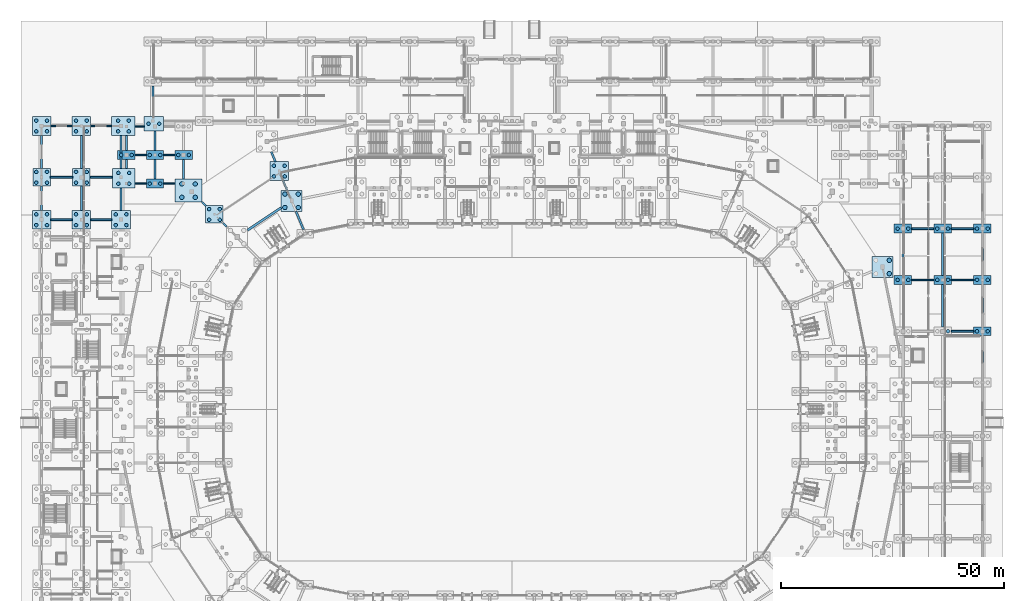
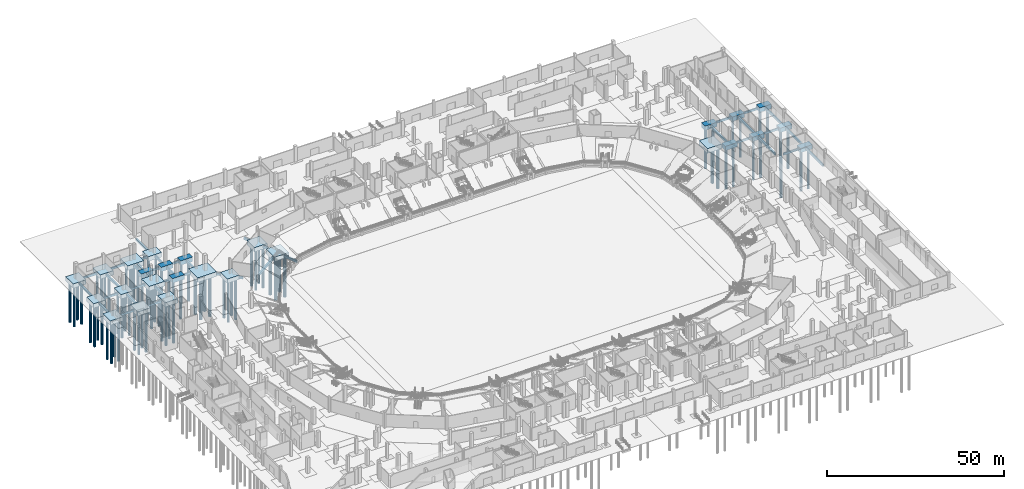
# One storey, part 9 of 68: 79 piles, 66 footings.
"""IFC4 building model written with IfcOpenShell, lengths in metres."""

from ifc_helpers import new_model, si_unit, direction, frame, origin, origin_2d, place, context, subcontext, project, spatial, rectangle, circle, extrude, material, material_profile, profile_set, type_object, element, save


model = new_model("IFC4")

# Units and contexts
model_context = context("Model", 3, precision=1e-05, world=origin(), true_north=direction((0.0, 1.0)))
body_context = subcontext(model_context, "Body", "Model", "MODEL_VIEW")
ifc_project = project(units=[si_unit("LENGTHUNIT", "METRE"), si_unit("AREAUNIT", "SQUARE_METRE"), si_unit("VOLUMEUNIT", "CUBIC_METRE"), si_unit("PLANEANGLEUNIT", "RADIAN"), si_unit("MASSUNIT", "GRAM", prefix="KILO")], contexts=[model_context])

# Site, building, storey
site_placement = place(None, origin())
site = spatial("IfcSite", under=ifc_project, at=site_placement, CompositionType="ELEMENT")
building_placement = place(site_placement, origin())
building = spatial("IfcBuilding", under=site, at=building_placement, Name="Candeia Ridge Stadium", CompositionType="ELEMENT")
storey_placement = place(building_placement, origin())
storey = spatial("IfcBuildingStorey", under=building, at=storey_placement, Name="L00", CompositionType="ELEMENT", Elevation=0.0)

# Piles
ifc_material = material(Name="Concrete C40/50", Category="concrete")
ifc_material_profile_1 = material_profile(ifc_material, circle(Radius=0.5, at=origin_2d()), Name="PILE-D1000", Category="concrete")
ifc_profile_set_1 = profile_set([ifc_material_profile_1], Name="Concrete C40/50")
pile_type_1 = type_object("IfcPileType", Name="Bored Concrete Pile D1000", PredefinedType="BORED", material=ifc_profile_set_1)
for number, where, z_axis, x_axis, name in (
    (1, (55.111083984375, 128.23779296875, -1.39990234375), (0.0, 0.0, -1.0), (1.0, 0.0, 0.0), "Bored concrete foundation pile PILE-0111"),
    (2, (58.111083984375, 128.23779296875, -1.39990234375), (0.0, 0.0, -1.0), (1.0, 0.0, 0.0), "Bored concrete foundation pile PILE-0112"),
    (3, (55.111083984375, 131.23779296875, -1.39990234375), (0.0, 0.0, -1.0), (1.0, 0.0, 0.0), "Bored concrete foundation pile PILE-0113"),
    (4, (58.111083984375, 131.23779296875, -1.39990234375), (0.0, 0.0, -1.0), (1.0, 0.0, 0.0), "Bored concrete foundation pile PILE-0114"),
    (5, (32.01513671875, 130.509765625, -1.39990234375), (0.0, 0.0, -1.0), (1.0, 0.0, 0.0), "Bored concrete foundation pile PILE-0133"),
    (6, (35.01513671875, 130.509765625, -1.39990234375), (0.0, 0.0, -1.0), (1.0, 0.0, 0.0), "Bored concrete foundation pile PILE-0134"),
    (7, (32.01513671875, 133.509765625, -1.39990234375), (0.0, 0.0, -1.0), (1.0, 0.0, 0.0), "Bored concrete foundation pile PILE-0135"),
    (8, (35.01513671875, 133.509765625, -1.39990234375), (0.0, 0.0, -1.0), (1.0, 0.0, 0.0), "Bored concrete foundation pile PILE-0136"),
    (9, (190.541748046875, 113.3994140625, -1.39990234375), (0.0, 0.0, -1.0), (1.0, 0.0, 0.0), "Bored concrete foundation pile PILE-0462"),
    (10, (190.541748046875, 116.3994140625, -1.39990234375), (0.0, 0.0, -1.0), (1.0, 0.0, 0.0), "Bored concrete foundation pile PILE-0464"),
):
    element("IfcPile", number, at=place(storey_placement, frame(where, z_axis=z_axis, x_axis=x_axis)), inside=storey, type_object=pile_type_1, Name=name, PredefinedType="BORED", context=body_context, shape_type="SweptSolid", body=[
        extrude(circle(Radius=0.5, at=origin_2d()), origin(), (0.0, 0.0, 1.0), 14.0),
    ])
ifc_material_profile_2 = material_profile(ifc_material, circle(Radius=0.39990234375, at=origin_2d()), Name="PILE-D800", Category="concrete")
ifc_profile_set_2 = profile_set([ifc_material_profile_2], Name="Concrete C40/50")
pile_type_2 = type_object("IfcPileType", Name="Bored Concrete Pile D800", PredefinedType="BORED", material=ifc_profile_set_2)
for number, where, z_axis, x_axis, name in (
    (11, (52.65576171875, 135.189697265625, -1.39990234375), (0.0, 0.0, -1.0), (1.0, 0.0, 0.0), "Bored concrete foundation pile PILE-0115"),
    (12, (55.055908203125, 135.189697265625, -1.39990234375), (0.0, 0.0, -1.0), (1.0, 0.0, 0.0), "Bored concrete foundation pile PILE-0116"),
    (13, (52.65576171875, 137.58984375, -1.39990234375), (0.0, 0.0, -1.0), (1.0, 0.0, 0.0), "Bored concrete foundation pile PILE-0117"),
    (14, (55.055908203125, 137.58984375, -1.39990234375), (0.0, 0.0, -1.0), (1.0, 0.0, 0.0), "Bored concrete foundation pile PILE-0118"),
    (15, (38.12158203125, 125.478515625, -1.39990234375), (0.0, 0.0, -1.0), (1.0, 0.0, 0.0), "Bored concrete foundation pile PILE-0129"),
    (16, (40.521484375, 125.478515625, -1.39990234375), (0.0, 0.0, -1.0), (1.0, 0.0, 0.0), "Bored concrete foundation pile PILE-0130"),
    (17, (38.12158203125, 127.87841796875, -1.39990234375), (0.0, 0.0, -1.0), (1.0, 0.0, 0.0), "Bored concrete foundation pile PILE-0131"),
    (18, (40.521484375, 127.87841796875, -1.39990234375), (0.0, 0.0, -1.0), (1.0, 0.0, 0.0), "Bored concrete foundation pile PILE-0132"),
    (19, (-0.60009765625, 124.300048828125, -1.39990234375), (0.0, 0.0, -1.0), (1.0, 0.0, 0.0), "Bored concrete foundation pile PILE-0541"),
    (20, (1.800048828125, 124.300048828125, -1.39990234375), (0.0, 0.0, -1.0), (1.0, 0.0, 0.0), "Bored concrete foundation pile PILE-0542"),
    (21, (-0.60009765625, 126.699951171875, -1.39990234375), (0.0, 0.0, -1.0), (1.0, 0.0, 0.0), "Bored concrete foundation pile PILE-0543"),
    (22, (1.800048828125, 126.699951171875, -1.39990234375), (0.0, 0.0, -1.0), (1.0, 0.0, 0.0), "Bored concrete foundation pile PILE-0544"),
    (23, (-0.60009765625, 133.800048828125, -1.39990234375), (0.0, 0.0, -1.0), (1.0, 0.0, 0.0), "Bored concrete foundation pile PILE-0545"),
    (24, (1.800048828125, 133.800048828125, -1.39990234375), (0.0, 0.0, -1.0), (1.0, 0.0, 0.0), "Bored concrete foundation pile PILE-0546"),
    (25, (-0.60009765625, 136.199951171875, -1.39990234375), (0.0, 0.0, -1.0), (1.0, 0.0, 0.0), "Bored concrete foundation pile PILE-0547"),
    (26, (1.800048828125, 136.199951171875, -1.39990234375), (0.0, 0.0, -1.0), (1.0, 0.0, 0.0), "Bored concrete foundation pile PILE-0548"),
    (27, (-0.60009765625, 145.300048828125, -1.39990234375), (0.0, 0.0, -1.0), (1.0, 0.0, 0.0), "Bored concrete foundation pile PILE-0549"),
    (28, (1.800048828125, 145.300048828125, -1.39990234375), (0.0, 0.0, -1.0), (1.0, 0.0, 0.0), "Bored concrete foundation pile PILE-0550"),
    (29, (-0.60009765625, 147.699951171875, -1.39990234375), (0.0, 0.0, -1.0), (1.0, 0.0, 0.0), "Bored concrete foundation pile PILE-0551"),
    (30, (1.800048828125, 147.699951171875, -1.39990234375), (0.0, 0.0, -1.0), (1.0, 0.0, 0.0), "Bored concrete foundation pile PILE-0552"),
    (31, (8.300048828125, 124.300048828125, -1.39990234375), (0.0, 0.0, -1.0), (1.0, 0.0, 0.0), "Bored concrete foundation pile PILE-0601"),
    (32, (10.699951171875, 124.300048828125, -1.39990234375), (0.0, 0.0, -1.0), (1.0, 0.0, 0.0), "Bored concrete foundation pile PILE-0602"),
    (33, (8.300048828125, 126.699951171875, -1.39990234375), (0.0, 0.0, -1.0), (1.0, 0.0, 0.0), "Bored concrete foundation pile PILE-0603"),
    (34, (10.699951171875, 126.699951171875, -1.39990234375), (0.0, 0.0, -1.0), (1.0, 0.0, 0.0), "Bored concrete foundation pile PILE-0604"),
    (35, (8.300048828125, 133.800048828125, -1.39990234375), (0.0, 0.0, -1.0), (1.0, 0.0, 0.0), "Bored concrete foundation pile PILE-0605"),
    (36, (10.699951171875, 133.800048828125, -1.39990234375), (0.0, 0.0, -1.0), (1.0, 0.0, 0.0), "Bored concrete foundation pile PILE-0606"),
    (37, (8.300048828125, 136.199951171875, -1.39990234375), (0.0, 0.0, -1.0), (1.0, 0.0, 0.0), "Bored concrete foundation pile PILE-0607"),
    (38, (10.699951171875, 136.199951171875, -1.39990234375), (0.0, 0.0, -1.0), (1.0, 0.0, 0.0), "Bored concrete foundation pile PILE-0608"),
    (39, (8.300048828125, 145.300048828125, -1.39990234375), (0.0, 0.0, -1.0), (1.0, 0.0, 0.0), "Bored concrete foundation pile PILE-0609"),
    (40, (10.699951171875, 145.300048828125, -1.39990234375), (0.0, 0.0, -1.0), (1.0, 0.0, 0.0), "Bored concrete foundation pile PILE-0610"),
    (41, (8.300048828125, 147.699951171875, -1.39990234375), (0.0, 0.0, -1.0), (1.0, 0.0, 0.0), "Bored concrete foundation pile PILE-0611"),
    (42, (10.699951171875, 147.699951171875, -1.39990234375), (0.0, 0.0, -1.0), (1.0, 0.0, 0.0), "Bored concrete foundation pile PILE-0612"),
    (43, (17.199951171875, 124.300048828125, -1.39990234375), (0.0, 0.0, -1.0), (1.0, 0.0, 0.0), "Bored concrete foundation pile PILE-0641"),
    (44, (19.60009765625, 124.300048828125, -1.39990234375), (0.0, 0.0, -1.0), (1.0, 0.0, 0.0), "Bored concrete foundation pile PILE-0642"),
    (45, (17.199951171875, 126.699951171875, -1.39990234375), (0.0, 0.0, -1.0), (1.0, 0.0, 0.0), "Bored concrete foundation pile PILE-0643"),
    (46, (19.60009765625, 126.699951171875, -1.39990234375), (0.0, 0.0, -1.0), (1.0, 0.0, 0.0), "Bored concrete foundation pile PILE-0644"),
    (47, (17.800048828125, 133.574951171875, -1.39990234375), (0.0, 0.0, -1.0), (1.0, 0.0, 0.0), "Bored concrete foundation pile PILE-0645"),
    (48, (20.199951171875, 133.574951171875, -1.39990234375), (0.0, 0.0, -1.0), (1.0, 0.0, 0.0), "Bored concrete foundation pile PILE-0646"),
    (49, (17.800048828125, 135.97509765625, -1.39990234375), (0.0, 0.0, -1.0), (1.0, 0.0, 0.0), "Bored concrete foundation pile PILE-0647"),
    (50, (20.199951171875, 135.97509765625, -1.39990234375), (0.0, 0.0, -1.0), (1.0, 0.0, 0.0), "Bored concrete foundation pile PILE-0648"),
    (51, (17.72509765625, 145.300048828125, -1.39990234375), (0.0, 0.0, -1.0), (1.0, 0.0, 0.0), "Bored concrete foundation pile PILE-0649"),
    (52, (20.125, 145.300048828125, -1.39990234375), (0.0, 0.0, -1.0), (1.0, 0.0, 0.0), "Bored concrete foundation pile PILE-0650"),
    (53, (17.72509765625, 147.699951171875, -1.39990234375), (0.0, 0.0, -1.0), (1.0, 0.0, 0.0), "Bored concrete foundation pile PILE-0651"),
    (54, (20.125, 147.699951171875, -1.39990234375), (0.0, 0.0, -1.0), (1.0, 0.0, 0.0), "Bored concrete foundation pile PILE-0652"),
    (55, (192.39990234375, 112.0, -1.39990234375), (0.0, 0.0, -1.0), (1.0, 0.0, 0.0), "Bored concrete foundation pile PILE-0665"),
    (56, (194.800048828125, 112.0, -1.39990234375), (0.0, 0.0, -1.0), (1.0, 0.0, 0.0), "Bored concrete foundation pile PILE-0666"),
    (57, (192.39990234375, 123.5, -1.39990234375), (0.0, 0.0, -1.0), (1.0, 0.0, 0.0), "Bored concrete foundation pile PILE-0667"),
    (58, (194.800048828125, 123.5, -1.39990234375), (0.0, 0.0, -1.0), (1.0, 0.0, 0.0), "Bored concrete foundation pile PILE-0668"),
    (59, (203.699951171875, 100.5, -1.39990234375), (0.0, 0.0, -1.0), (1.0, 0.0, 0.0), "Bored concrete foundation pile PILE-0688"),
    (60, (201.300048828125, 112.0, -1.39990234375), (0.0, 0.0, -1.0), (1.0, 0.0, 0.0), "Bored concrete foundation pile PILE-0689"),
    (61, (203.699951171875, 112.0, -1.39990234375), (0.0, 0.0, -1.0), (1.0, 0.0, 0.0), "Bored concrete foundation pile PILE-0690"),
    (62, (201.300048828125, 123.5, -1.39990234375), (0.0, 0.0, -1.0), (1.0, 0.0, 0.0), "Bored concrete foundation pile PILE-0691"),
    (63, (203.699951171875, 123.5, -1.39990234375), (0.0, 0.0, -1.0), (1.0, 0.0, 0.0), "Bored concrete foundation pile PILE-0692"),
    (64, (210.199951171875, 100.5, -1.39990234375), (0.0, 0.0, -1.0), (1.0, 0.0, 0.0), "Bored concrete foundation pile PILE-0711"),
    (65, (212.60009765625, 100.5, -1.39990234375), (0.0, 0.0, -1.0), (1.0, 0.0, 0.0), "Bored concrete foundation pile PILE-0712"),
    (66, (210.199951171875, 112.0, -1.39990234375), (0.0, 0.0, -1.0), (1.0, 0.0, 0.0), "Bored concrete foundation pile PILE-0713"),
    (67, (212.60009765625, 112.0, -1.39990234375), (0.0, 0.0, -1.0), (1.0, 0.0, 0.0), "Bored concrete foundation pile PILE-0714"),
    (68, (210.199951171875, 123.5, -1.39990234375), (0.0, 0.0, -1.0), (1.0, 0.0, 0.0), "Bored concrete foundation pile PILE-0715"),
    (69, (212.60009765625, 123.5, -1.39990234375), (0.0, 0.0, -1.0), (1.0, 0.0, 0.0), "Bored concrete foundation pile PILE-0716"),
    (70, (24.550048828125, 147.0, -1.39990234375), (0.0, 0.0, -1.0), (1.0, 0.0, 0.0), "Bored concrete foundation pile PILE-0809"),
    (71, (26.949951171875, 147.0, -1.39990234375), (0.0, 0.0, -1.0), (1.0, 0.0, 0.0), "Bored concrete foundation pile PILE-0810"),
    (72, (18.39990234375, 140.0, -1.39990234375), (0.0, 0.0, -1.0), (1.0, 0.0, 0.0), "Bored concrete foundation pile PILE-0889"),
    (73, (20.800048828125, 140.0, -1.39990234375), (0.0, 0.0, -1.0), (1.0, 0.0, 0.0), "Bored concrete foundation pile PILE-0890"),
    (74, (24.800048828125, 133.60009765625, -1.39990234375), (0.0, 0.0, -1.0), (1.0, 0.0, 0.0), "Bored concrete foundation pile PILE-0891"),
    (75, (27.199951171875, 133.60009765625, -1.39990234375), (0.0, 0.0, -1.0), (1.0, 0.0, 0.0), "Bored concrete foundation pile PILE-0892"),
    (76, (24.800048828125, 140.0, -1.39990234375), (0.0, 0.0, -1.0), (1.0, 0.0, 0.0), "Bored concrete foundation pile PILE-0893"),
    (77, (27.199951171875, 140.0, -1.39990234375), (0.0, 0.0, -1.0), (1.0, 0.0, 0.0), "Bored concrete foundation pile PILE-0894"),
    (78, (31.199951171875, 140.0, -1.39990234375), (0.0, 0.0, -1.0), (1.0, 0.0, 0.0), "Bored concrete foundation pile PILE-0895"),
    (79, (33.60009765625, 140.0, -1.39990234375), (0.0, 0.0, -1.0), (1.0, 0.0, 0.0), "Bored concrete foundation pile PILE-0896"),
):
    element("IfcPile", number, at=place(storey_placement, frame(where, z_axis=z_axis, x_axis=x_axis)), inside=storey, type_object=pile_type_2, Name=name, PredefinedType="BORED", context=body_context, shape_type="SweptSolid", body=[
        extrude(circle(Radius=0.39990234375, at=origin_2d()), origin(), (0.0, 0.0, 1.0), 14.0),
    ])

# Footings
footing_type_1 = type_object("IfcFootingType", Name="Ground Tie Beam 400x700", PredefinedType="FOOTING_BEAM", material=ifc_material)
footing_1_placement = place(storey_placement, frame((5.050048828125, 125.5, -1.0498046875), z_axis=(0.0, 0.0, 1.0), x_axis=(1.0, 0.0, 0.0)))
element("IfcFooting", 80, at=footing_1_placement, inside=storey, type_object=footing_type_1, Name="Ground tie beam GTB-0185", PredefinedType="FOOTING_BEAM", context=body_context, shape_type="SweptSolid", body=[
    extrude(rectangle(XDim=4.719970703125, YDim=0.39990234375, at=origin_2d()), origin(), (0.0, 0.0, 1.0), 0.699951171875),
])
footing_2_placement = place(storey_placement, frame((5.050048828125, 135.0, -1.0498046875), z_axis=(0.0, 0.0, 1.0), x_axis=(1.0, 0.0, 0.0)))
element("IfcFooting", 81, at=footing_2_placement, inside=storey, type_object=footing_type_1, Name="Ground tie beam GTB-0187", PredefinedType="FOOTING_BEAM", context=body_context, shape_type="SweptSolid", body=[
    extrude(rectangle(XDim=5.02001953125, YDim=0.39990234375, at=origin_2d()), origin(), (0.0, 0.0, 1.0), 0.699951171875),
])
for number, where, z_axis, x_axis, name in (
    (82, (5.050048828125, 146.5, -1.0498046875), (0.0, 0.0, 1.0), (1.0, 0.0, 0.0), "Ground tie beam GTB-0188"),
    (83, (13.949951171875, 125.5, -1.0498046875), (0.0, 0.0, 1.0), (1.0, 0.0, 0.0), "Ground tie beam GTB-0214"),
):
    element("IfcFooting", number, at=place(storey_placement, frame(where, z_axis=z_axis, x_axis=x_axis)), inside=storey, type_object=footing_type_1, Name=name, PredefinedType="FOOTING_BEAM", context=body_context, shape_type="SweptSolid", body=[
        extrude(rectangle(XDim=4.719970703125, YDim=0.39990234375, at=origin_2d()), origin(), (0.0, 0.0, 1.0), 0.699951171875),
    ])
footing_3_placement = place(storey_placement, frame((13.949951171875, 135.0, -1.0498046875), z_axis=(0.0, 0.0, 1.0), x_axis=(1.0, 0.0, 0.0)))
element("IfcFooting", 84, at=footing_3_placement, inside=storey, type_object=footing_type_1, Name="Ground tie beam GTB-0216", PredefinedType="FOOTING_BEAM", context=body_context, shape_type="SweptSolid", body=[
    extrude(rectangle(XDim=5.02001953125, YDim=0.39990234375, at=origin_2d()), origin(), (0.0, 0.0, 1.0), 0.699951171875),
])
footing_4_placement = place(storey_placement, frame((13.949951171875, 146.5, -1.0498046875), z_axis=(0.0, 0.0, 1.0), x_axis=(1.0, 0.0, 0.0)))
element("IfcFooting", 85, at=footing_4_placement, inside=storey, type_object=footing_type_1, Name="Ground tie beam GTB-0217", PredefinedType="FOOTING_BEAM", context=body_context, shape_type="SweptSolid", body=[
    extrude(rectangle(XDim=4.719970703125, YDim=0.39990234375, at=origin_2d()), origin(), (0.0, 0.0, 1.0), 0.699951171875),
])
for number, where, z_axis, x_axis, name in (
    (86, (198.050048828125, 112.0, -1.0498046875), (0.0, 0.0, 1.0), (1.0, 0.0, 0.0), "Ground tie beam GTB-0249"),
    (87, (198.050048828125, 123.5, -1.0498046875), (0.0, 0.0, 1.0), (1.0, 0.0, 0.0), "Ground tie beam GTB-0251"),
    (88, (206.949951171875, 100.5, -1.0498046875), (0.0, 0.0, 1.0), (1.0, 0.0, 0.0), "Ground tie beam GTB-0270"),
    (89, (206.949951171875, 112.0, -1.0498046875), (0.0, 0.0, 1.0), (1.0, 0.0, 0.0), "Ground tie beam GTB-0272"),
    (90, (206.949951171875, 123.5, -1.0498046875), (0.0, 0.0, 1.0), (1.0, 0.0, 0.0), "Ground tie beam GTB-0274"),
):
    element("IfcFooting", number, at=place(storey_placement, frame(where, z_axis=z_axis, x_axis=x_axis)), inside=storey, type_object=footing_type_1, Name=name, PredefinedType="FOOTING_BEAM", context=body_context, shape_type="SweptSolid", body=[
        extrude(rectangle(XDim=5.02001953125, YDim=0.39990234375, at=origin_2d()), origin(), (0.0, 0.0, 1.0), 0.699951171875),
    ])
for number, where, z_axis, x_axis, name in (
    (91, (22.800048828125, 133.60009765625, -1.0498046875), (0.0, 0.0, 1.0), (1.0, 0.0, 0.0), "Ground tie beam GTB-0438"),
    (92, (22.800048828125, 140.0, -1.0498046875), (0.0, 0.0, 1.0), (1.0, 0.0, 0.0), "Ground tie beam GTB-0440"),
):
    element("IfcFooting", number, at=place(storey_placement, frame(where, z_axis=z_axis, x_axis=x_axis)), inside=storey, type_object=footing_type_1, Name=name, PredefinedType="FOOTING_BEAM", context=body_context, shape_type="SweptSolid", body=[
        extrude(rectangle(XDim=2.52001953125, YDim=0.39990234375, at=origin_2d()), origin(), (0.0, 0.0, 1.0), 0.699951171875),
    ])
footing_5_placement = place(storey_placement, frame((22.550048828125, 146.39990234375, -1.0498046875), z_axis=(0.0, 0.0, 1.0), x_axis=(1.0, 0.0, 0.0)))
element("IfcFooting", 93, at=footing_5_placement, inside=storey, type_object=footing_type_1, Name="Ground tie beam GTB-0441", PredefinedType="FOOTING_BEAM", context=body_context, shape_type="SweptSolid", body=[
    extrude(rectangle(XDim=2.02001953125, YDim=0.39990234375, at=origin_2d()), origin(), (0.0, 0.0, 1.0), 0.699951171875),
])
for number, where, z_axis, x_axis, name in (
    (94, (29.199951171875, 133.60009765625, -1.0498046875), (0.0, 0.0, 1.0), (1.0, 0.0, 0.0), "Ground tie beam GTB-0443"),
    (95, (29.199951171875, 140.0, -1.0498046875), (0.0, 0.0, 1.0), (1.0, 0.0, 0.0), "Ground tie beam GTB-0445"),
):
    element("IfcFooting", number, at=place(storey_placement, frame(where, z_axis=z_axis, x_axis=x_axis)), inside=storey, type_object=footing_type_1, Name=name, PredefinedType="FOOTING_BEAM", context=body_context, shape_type="SweptSolid", body=[
        extrude(rectangle(XDim=2.52001953125, YDim=0.39990234375, at=origin_2d()), origin(), (0.0, 0.0, 1.0), 0.699951171875),
    ])
footing_type_2 = type_object("IfcFootingType", Name="Ground Tie Beam 450x750", PredefinedType="FOOTING_BEAM", material=ifc_material)
footing_6_placement = place(storey_placement, frame((58.431884765625, 125.34228515625, -1.074951171875), z_axis=(0.0, 0.0, 1.0), x_axis=(-0.382681391665, 0.923880377794, 0.0)))
element("IfcFooting", 96, at=footing_6_placement, inside=storey, type_object=footing_type_2, Name="Ground tie beam GTB-0039", PredefinedType="FOOTING_BEAM", context=body_context, shape_type="SweptSolid", body=[
    extrude(rectangle(XDim=4.447998046875, YDim=0.449951171875, at=origin_2d()), origin(), (0.0, 0.0, 1.0), 0.75),
])
for number, where, z_axis, x_axis, name in (
    (97, (55.181640625, 133.188720703125, -1.074951171875), (0.0, 0.0, 1.0), (-0.382676402483, 0.923882444352, 0.0), "Ground tie beam GTB-0040"),
    (98, (52.52978515625, 139.5908203125, -1.074951171875), (0.0, 0.0, 1.0), (-0.382711917213, 0.923867733186, 0.0), "Ground tie beam GTB-0041"),
):
    element("IfcFooting", number, at=place(storey_placement, frame(where, z_axis=z_axis, x_axis=x_axis)), inside=storey, type_object=footing_type_2, Name=name, PredefinedType="FOOTING_BEAM", context=body_context, shape_type="SweptSolid", body=[
        extrude(rectangle(XDim=2.4033203125, YDim=0.449951171875, at=origin_2d()), origin(), (0.0, 0.0, 1.0), 0.75),
    ])
for number, where, z_axis, x_axis, name in (
    (99, (41.667236328125, 124.332763671875, -1.074951171875), (0.0, 0.0, 1.0), (-0.707106781187, 0.707106781187, 0.0), "Ground tie beam GTB-0044"),
    (100, (36.97607421875, 129.02392578125, -1.074951171875), (0.0, 0.0, 1.0), (-0.707106781187, 0.707106781187, 0.0), "Ground tie beam GTB-0045"),
):
    element("IfcFooting", number, at=place(storey_placement, frame(where, z_axis=z_axis, x_axis=x_axis)), inside=storey, type_object=footing_type_2, Name=name, PredefinedType="FOOTING_BEAM", context=body_context, shape_type="SweptSolid", body=[
        extrude(rectangle(XDim=1.138916015625, YDim=0.449951171875, at=origin_2d()), origin(), (0.0, 0.0, 1.0), 0.75),
    ])
footing_7_placement = place(storey_placement, frame((0.60009765625, 130.324951171875, -1.074951171875), z_axis=(0.0, 0.0, 1.0), x_axis=(0.0, 1.0, 0.0)))
element("IfcFooting", 101, at=footing_7_placement, inside=storey, type_object=footing_type_2, Name="Ground tie beam GTB-0184", PredefinedType="FOOTING_BEAM", context=body_context, shape_type="SweptSolid", body=[
    extrude(rectangle(XDim=5.469970703125, YDim=0.449951171875, at=origin_2d()), origin(), (0.0, 0.0, 1.0), 0.75),
])
footing_8_placement = place(storey_placement, frame((0.60009765625, 140.675048828125, -1.074951171875), z_axis=(0.0, 0.0, 1.0), x_axis=(0.0, 1.0, 0.0)))
element("IfcFooting", 102, at=footing_8_placement, inside=storey, type_object=footing_type_2, Name="Ground tie beam GTB-0186", PredefinedType="FOOTING_BEAM", context=body_context, shape_type="SweptSolid", body=[
    extrude(rectangle(XDim=7.469970703125, YDim=0.449951171875, at=origin_2d()), origin(), (0.0, 0.0, 1.0), 0.75),
])
footing_9_placement = place(storey_placement, frame((9.5, 130.324951171875, -1.074951171875), z_axis=(0.0, 0.0, 1.0), x_axis=(0.0, 1.0, 0.0)))
element("IfcFooting", 103, at=footing_9_placement, inside=storey, type_object=footing_type_2, Name="Ground tie beam GTB-0213", PredefinedType="FOOTING_BEAM", context=body_context, shape_type="SweptSolid", body=[
    extrude(rectangle(XDim=5.469970703125, YDim=0.449951171875, at=origin_2d()), origin(), (0.0, 0.0, 1.0), 0.75),
])
footing_10_placement = place(storey_placement, frame((9.5, 140.675048828125, -1.074951171875), z_axis=(0.0, 0.0, 1.0), x_axis=(0.0, 1.0, 0.0)))
element("IfcFooting", 104, at=footing_10_placement, inside=storey, type_object=footing_type_2, Name="Ground tie beam GTB-0215", PredefinedType="FOOTING_BEAM", context=body_context, shape_type="SweptSolid", body=[
    extrude(rectangle(XDim=7.469970703125, YDim=0.449951171875, at=origin_2d()), origin(), (0.0, 0.0, 1.0), 0.75),
])
footing_11_placement = place(storey_placement, frame((18.39990234375, 130.10009765625, -1.074951171875), z_axis=(0.0, 0.0, 1.0), x_axis=(0.0, 1.0, 0.0)))
element("IfcFooting", 105, at=footing_11_placement, inside=storey, type_object=footing_type_2, Name="Ground tie beam GTB-0230", PredefinedType="FOOTING_BEAM", context=body_context, shape_type="SweptSolid", body=[
    extrude(rectangle(XDim=5.02001953125, YDim=0.449951171875, at=origin_2d()), origin(), (0.0, 0.0, 1.0), 0.75),
])
footing_12_placement = place(storey_placement, frame((18.39990234375, 140.675048828125, -1.074951171875), z_axis=(0.0, 0.0, 1.0), x_axis=(0.0, 1.0, 0.0)))
element("IfcFooting", 106, at=footing_12_placement, inside=storey, type_object=footing_type_2, Name="Ground tie beam GTB-0231", PredefinedType="FOOTING_BEAM", context=body_context, shape_type="SweptSolid", body=[
    extrude(rectangle(XDim=7.469970703125, YDim=0.449951171875, at=origin_2d()), origin(), (0.0, 0.0, 1.0), 0.75),
])
for number, where, z_axis, x_axis, name in (
    (107, (193.60009765625, 117.75, -1.074951171875), (0.0, 0.0, 1.0), (0.0, 1.0, 0.0), "Ground tie beam GTB-0248"),
    (108, (202.5, 106.25, -1.074951171875), (0.0, 0.0, 1.0), (0.0, 1.0, 0.0), "Ground tie beam GTB-0269"),
    (109, (202.5, 117.75, -1.074951171875), (0.0, 0.0, 1.0), (0.0, 1.0, 0.0), "Ground tie beam GTB-0271"),
    (110, (211.39990234375, 94.75, -1.074951171875), (0.0, 0.0, 1.0), (0.0, 1.0, 0.0), "Ground tie beam GTB-0284"),
    (111, (211.39990234375, 106.25, -1.074951171875), (0.0, 0.0, 1.0), (0.0, 1.0, 0.0), "Ground tie beam GTB-0285"),
    (112, (211.39990234375, 117.75, -1.074951171875), (0.0, 0.0, 1.0), (0.0, 1.0, 0.0), "Ground tie beam GTB-0286"),
):
    element("IfcFooting", number, at=place(storey_placement, frame(where, z_axis=z_axis, x_axis=x_axis)), inside=storey, type_object=footing_type_2, Name=name, PredefinedType="FOOTING_BEAM", context=body_context, shape_type="SweptSolid", body=[
        extrude(rectangle(XDim=9.52001953125, YDim=0.449951171875, at=origin_2d()), origin(), (0.0, 0.0, 1.0), 0.75),
    ])
footing_13_placement = place(storey_placement, frame((25.5, 152.050048828125, -1.074951171875), z_axis=(0.0, 0.0, 1.0), x_axis=(0.0, 1.0, 0.0)))
element("IfcFooting", 113, at=footing_13_placement, inside=storey, type_object=footing_type_2, Name="Ground tie beam GTB-0366", PredefinedType="FOOTING_BEAM", context=body_context, shape_type="SweptSolid", body=[
    extrude(rectangle(XDim=6.919921875, YDim=0.449951171875, at=origin_2d()), origin(), (0.0, 0.0, 1.0), 0.75),
])
footing_14_placement = place(storey_placement, frame((19.60009765625, 137.97509765625, -1.074951171875), z_axis=(0.0, 0.0, 1.0), x_axis=(0.0, 1.0, 0.0)))
element("IfcFooting", 114, at=footing_14_placement, inside=storey, type_object=footing_type_2, Name="Ground tie beam GTB-0437", PredefinedType="FOOTING_BEAM", context=body_context, shape_type="SweptSolid", body=[
    extrude(rectangle(XDim=2.070068359375, YDim=0.449951171875, at=origin_2d()), origin(), (0.0, 0.0, 1.0), 0.75),
])
footing_15_placement = place(storey_placement, frame((19.60009765625, 142.699951171875, -1.074951171875), z_axis=(0.0, 0.0, 1.0), x_axis=(0.0, 1.0, 0.0)))
element("IfcFooting", 115, at=footing_15_placement, inside=storey, type_object=footing_type_2, Name="Ground tie beam GTB-0439", PredefinedType="FOOTING_BEAM", context=body_context, shape_type="SweptSolid", body=[
    extrude(rectangle(XDim=3.419921875, YDim=0.449951171875, at=origin_2d()), origin(), (0.0, 0.0, 1.0), 0.75),
])
for number, where, z_axis, x_axis, name in (
    (116, (26.0, 136.800048828125, -1.074951171875), (0.0, 0.0, 1.0), (0.0, 1.0, 0.0), "Ground tie beam GTB-0442"),
    (117, (26.0, 143.199951171875, -1.074951171875), (0.0, 0.0, 1.0), (0.0, 1.0, 0.0), "Ground tie beam GTB-0444"),
    (118, (32.39990234375, 136.800048828125, -1.074951171875), (0.0, 0.0, 1.0), (0.0, 1.0, 0.0), "Ground tie beam GTB-0447"),
):
    element("IfcFooting", number, at=place(storey_placement, frame(where, z_axis=z_axis, x_axis=x_axis)), inside=storey, type_object=footing_type_2, Name=name, PredefinedType="FOOTING_BEAM", context=body_context, shape_type="SweptSolid", body=[
        extrude(rectangle(XDim=4.419921875, YDim=0.449951171875, at=origin_2d()), origin(), (0.0, 0.0, 1.0), 0.75),
    ])
footing_type_3 = type_object("IfcFootingType", Name="Ground Tie Beam 500x800", PredefinedType="FOOTING_BEAM", material=ifc_material)
footing_16_placement = place(storey_placement, frame((50.511962890625, 125.66259765625, -1.10009765625), z_axis=(0.0, 0.0, 1.0), x_axis=(-0.831469389777, -0.555570566053, 0.0)))
element("IfcFooting", 119, at=footing_16_placement, inside=storey, type_object=footing_type_3, Name="Ground tie beam GTB-0038", PredefinedType="FOOTING_BEAM", context=body_context, shape_type="SweptSolid", body=[
    extrude(rectangle(XDim=9.0380859375, YDim=0.5, at=origin_2d()), origin(), (0.0, 0.0, 1.0), 0.800048828125),
])
footing_type_4 = type_object("IfcFootingType", Name="Pile Cap 3900x2000x1500", PredefinedType="PILE_CAP", material=ifc_material)
for number, where, z_axis, x_axis, name in (
    (120, (193.60009765625, 112.0, -1.5), (0.0, 0.0, 1.0), (1.0, 0.0, 0.0), "Reinforced concrete pile cap CAP-188"),
    (121, (193.60009765625, 123.5, -1.5), (0.0, 0.0, 1.0), (1.0, 0.0, 0.0), "Reinforced concrete pile cap CAP-189"),
    (122, (202.5, 112.0, -1.5), (0.0, 0.0, 1.0), (1.0, 0.0, 0.0), "Reinforced concrete pile cap CAP-200"),
    (123, (202.5, 123.5, -1.5), (0.0, 0.0, 1.0), (1.0, 0.0, 0.0), "Reinforced concrete pile cap CAP-201"),
    (124, (211.39990234375, 100.5, -1.5), (0.0, 0.0, 1.0), (1.0, 0.0, 0.0), "Reinforced concrete pile cap CAP-211"),
    (125, (211.39990234375, 112.0, -1.5), (0.0, 0.0, 1.0), (1.0, 0.0, 0.0), "Reinforced concrete pile cap CAP-212"),
    (126, (211.39990234375, 123.5, -1.5), (0.0, 0.0, 1.0), (1.0, 0.0, 0.0), "Reinforced concrete pile cap CAP-213"),
    (127, (19.60009765625, 140.0, -1.5), (0.0, 0.0, 1.0), (1.0, 0.0, 0.0), "Reinforced concrete pile cap CAP-300"),
    (128, (26.0, 133.60009765625, -1.5), (0.0, 0.0, 1.0), (1.0, 0.0, 0.0), "Reinforced concrete pile cap CAP-301"),
    (129, (26.0, 140.0, -1.5), (0.0, 0.0, 1.0), (1.0, 0.0, 0.0), "Reinforced concrete pile cap CAP-302"),
    (130, (32.39990234375, 140.0, -1.5), (0.0, 0.0, 1.0), (1.0, 0.0, 0.0), "Reinforced concrete pile cap CAP-303"),
):
    element("IfcFooting", number, at=place(storey_placement, frame(where, z_axis=z_axis, x_axis=x_axis)), inside=storey, type_object=footing_type_4, Name=name, PredefinedType="PILE_CAP", context=body_context, shape_type="SweptSolid", body=[
        extrude(rectangle(XDim=3.89990234375, YDim=2.0, at=origin_2d()), origin(), (0.0, 0.0, 1.0), 1.5),
    ])
footing_type_5 = type_object("IfcFootingType", Name="Pile Cap 3900x3900x1500", PredefinedType="PILE_CAP", material=ifc_material)
for number, where, z_axis, x_axis, name in (
    (131, (39.321533203125, 126.678466796875, -1.5), (0.0, 0.0, 1.0), (1.0, 0.0, 0.0), "Reinforced concrete pile cap CAP-038"),
    (132, (0.60009765625, 135.0, -1.5), (0.0, 0.0, 1.0), (1.0, 0.0, 0.0), "Reinforced concrete pile cap CAP-155"),
    (133, (9.5, 135.0, -1.5), (0.0, 0.0, 1.0), (1.0, 0.0, 0.0), "Reinforced concrete pile cap CAP-170"),
):
    element("IfcFooting", number, at=place(storey_placement, frame(where, z_axis=z_axis, x_axis=x_axis)), inside=storey, type_object=footing_type_5, Name=name, PredefinedType="PILE_CAP", context=body_context, shape_type="SweptSolid", body=[
        extrude(rectangle(XDim=3.89990234375, YDim=3.89990234375, at=origin_2d()), origin(), (0.0, 0.0, 1.0), 1.5),
    ])
footing_type_6 = type_object("IfcFootingType", Name="Pile Cap 4200x4200x1500", PredefinedType="PILE_CAP", material=ifc_material)
for number, where, z_axis, x_axis, name in (
    (134, (53.855712890625, 136.389892578125, -1.5), (0.0, 0.0, 1.0), (1.0, 0.0, 0.0), "Reinforced concrete pile cap CAP-034"),
    (135, (0.60009765625, 125.5, -1.5), (0.0, 0.0, 1.0), (1.0, 0.0, 0.0), "Reinforced concrete pile cap CAP-154"),
    (136, (0.60009765625, 146.5, -1.5), (0.0, 0.0, 1.0), (1.0, 0.0, 0.0), "Reinforced concrete pile cap CAP-156"),
    (137, (9.5, 125.5, -1.5), (0.0, 0.0, 1.0), (1.0, 0.0, 0.0), "Reinforced concrete pile cap CAP-169"),
    (138, (9.5, 146.5, -1.5), (0.0, 0.0, 1.0), (1.0, 0.0, 0.0), "Reinforced concrete pile cap CAP-171"),
    (139, (18.39990234375, 125.5, -1.5), (0.0, 0.0, 1.0), (1.0, 0.0, 0.0), "Reinforced concrete pile cap CAP-179"),
):
    element("IfcFooting", number, at=place(storey_placement, frame(where, z_axis=z_axis, x_axis=x_axis)), inside=storey, type_object=footing_type_6, Name=name, PredefinedType="PILE_CAP", context=body_context, shape_type="SweptSolid", body=[
        extrude(rectangle(XDim=4.199951171875, YDim=4.199951171875, at=origin_2d()), origin(), (0.0, 0.0, 1.0), 1.5),
    ])
footing_type_7 = type_object("IfcFootingType", Name="Pile Cap 4700x4700x1600", PredefinedType="PILE_CAP", material=ifc_material)
for number, where, z_axis, x_axis, name in (
    (140, (56.611083984375, 129.73779296875, -1.60009765625), (0.0, 0.0, 1.0), (1.0, 0.0, 0.0), "Reinforced concrete pile cap CAP-033"),
    (141, (189.041748046875, 114.899658203125, -1.60009765625), (0.0, 0.0, 1.0), (1.0, 0.0, 0.0), "Reinforced concrete pile cap CAP-133"),
):
    element("IfcFooting", number, at=place(storey_placement, frame(where, z_axis=z_axis, x_axis=x_axis)), inside=storey, type_object=footing_type_7, Name=name, PredefinedType="PILE_CAP", context=body_context, shape_type="SweptSolid", body=[
        extrude(rectangle(XDim=4.699951171875, YDim=4.699951171875, at=origin_2d()), origin(), (0.0, 0.0, 1.0), 1.60009765625),
    ])
footing_type_8 = type_object("IfcFootingType", Name="Pile Cap 5400x4200x1600", PredefinedType="PILE_CAP", material=ifc_material)
footing_17_placement = place(storey_placement, frame((19.0, 134.77490234375, -1.60009765625), z_axis=(0.0, 0.0, 1.0), x_axis=(1.0, 0.0, 0.0)))
element("IfcFooting", 142, at=footing_17_placement, inside=storey, type_object=footing_type_8, Name="Reinforced concrete pile cap CAP-180", PredefinedType="PILE_CAP", context=body_context, shape_type="SweptSolid", body=[
    extrude(rectangle(XDim=5.10009765625, YDim=4.35009765625, at=origin_2d()), origin(), (0.0, 0.0, 1.0), 1.60009765625),
])
footing_18_placement = place(storey_placement, frame((18.925048828125, 146.5, -1.60009765625), z_axis=(0.0, 0.0, 1.0), x_axis=(1.0, 0.0, 0.0)))
element("IfcFooting", 143, at=footing_18_placement, inside=storey, type_object=footing_type_8, Name="Reinforced concrete pile cap CAP-181", PredefinedType="PILE_CAP", context=body_context, shape_type="SweptSolid", body=[
    extrude(rectangle(XDim=5.25, YDim=4.199951171875, at=origin_2d()), origin(), (0.0, 0.0, 1.0), 1.60009765625),
])
footing_19_placement = place(storey_placement, frame((25.75, 147.0, -1.60009765625), z_axis=(0.0, 0.0, 1.0), x_axis=(1.0, 0.0, 0.0)))
element("IfcFooting", 144, at=footing_19_placement, inside=storey, type_object=footing_type_8, Name="Reinforced concrete pile cap CAP-260", PredefinedType="PILE_CAP", context=body_context, shape_type="SweptSolid", body=[
    extrude(rectangle(XDim=4.39990234375, YDim=3.199951171875, at=origin_2d()), origin(), (0.0, 0.0, 1.0), 1.60009765625),
])
footing_type_9 = type_object("IfcFootingType", Name="Pile Cap 6200x4400x1600", PredefinedType="PILE_CAP", material=ifc_material)
footing_20_placement = place(storey_placement, frame((33.51513671875, 132.009765625, -1.60009765625), z_axis=(0.0, 0.0, 1.0), x_axis=(1.0, 0.0, 0.0)))
element("IfcFooting", 145, at=footing_20_placement, inside=storey, type_object=footing_type_9, Name="Reinforced concrete pile cap CAP-039", PredefinedType="PILE_CAP", context=body_context, shape_type="SweptSolid", body=[
    extrude(rectangle(XDim=6.13037109375, YDim=5.180419921875, at=origin_2d()), origin(), (0.0, 0.0, 1.0), 1.60009765625),
])

save(model, "model.ifc")
